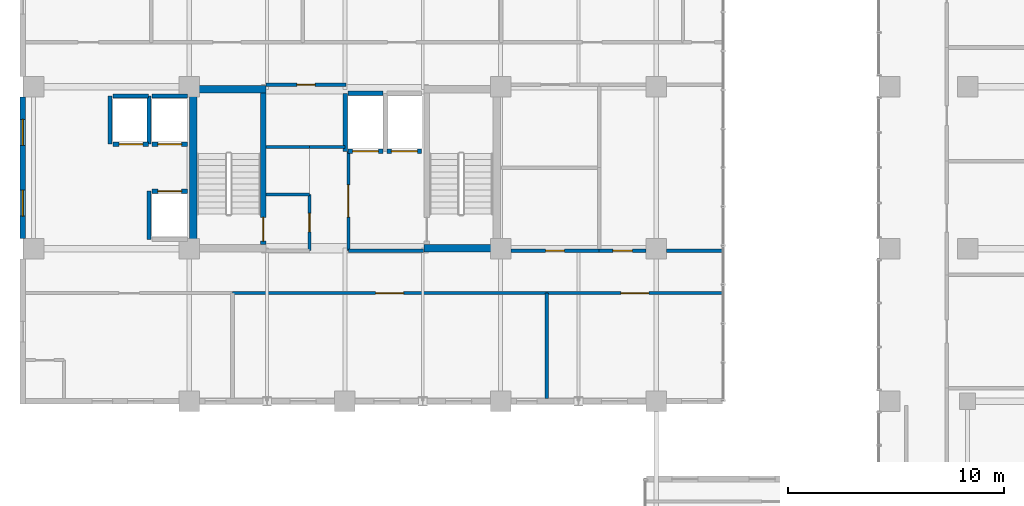
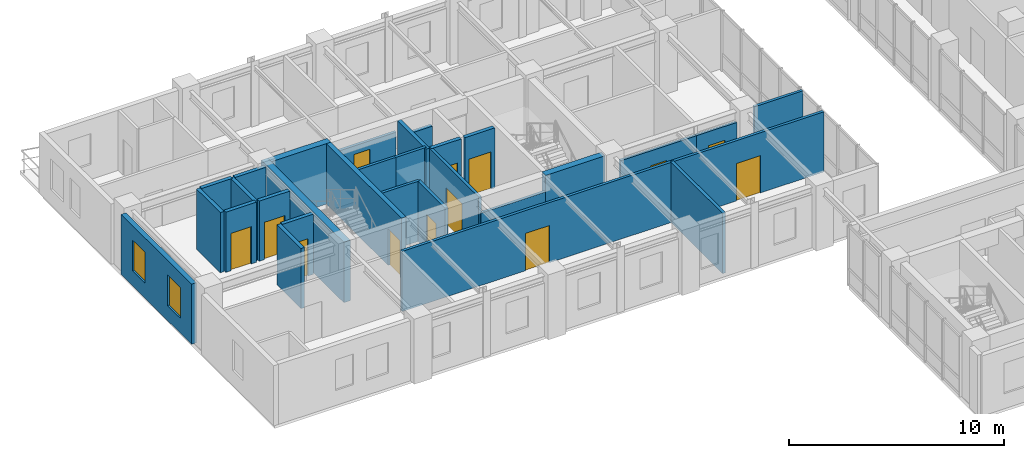
# One storey, part 17 of 24: 30 walls, 13 doors, 2 windows, 15 openings.
"""IFC4 building model written with IfcOpenShell, lengths in metres."""

from ifc_helpers import new_model, si_unit, direction, frame, frame_2d, origin, place, context, subcontext, project, spatial, rectangle, extrude, material, layer, layer_set, type_object, element, fill, save


model = new_model("IFC4")

# Units and contexts
model_context = context("Model", 3, precision=1e-05, world=origin(), true_north=direction((0.0, 1.0)))
body_context = subcontext(model_context, "Body", "Model", "MODEL_VIEW")
ifc_project = project(units=[si_unit("LENGTHUNIT", "METRE"), si_unit("AREAUNIT", "SQUARE_METRE"), si_unit("VOLUMEUNIT", "CUBIC_METRE"), si_unit("PLANEANGLEUNIT", "RADIAN"), si_unit("MASSUNIT", "GRAM", prefix="KILO")], contexts=[model_context])

# Site, building, storey
site_placement = place(None, origin())
site = spatial("IfcSite", under=ifc_project, at=site_placement, CompositionType="ELEMENT")
building_placement = place(site_placement, origin())
building = spatial("IfcBuilding", under=site, at=building_placement, Name="Kaliganga Portal Commons", CompositionType="ELEMENT")
storey_placement = place(building_placement, frame((0.0, 0.0, 238.800048828125)))
storey = spatial("IfcBuildingStorey", under=building, at=storey_placement, Name="L61", CompositionType="ELEMENT", Elevation=238.800048828125)

# Walls
ifc_material_1 = material(Name="Concrete C50/60", Category="concrete")
ifc_layer_1 = layer(ifc_material_1, 0.35009765625)
ifc_layer_set_1 = layer_set([ifc_layer_1], Name="Concrete C50/60")
wall_type_1 = type_object("IfcWallType", Name="WL-CORE-350", PredefinedType="SHEAR", material=ifc_layer_set_1)
wall_1_placement = place(storey_placement, frame((14.574951171875, 28.5, 0.0), z_axis=(0.0, 0.0, 1.0), x_axis=(0.0, 1.0, 0.0)))
element("IfcWall", 1, at=wall_1_placement, inside=storey, type_object=wall_type_1, Name="Core A West Shear Wall L61", PredefinedType="SHEAR", context=body_context, shape_type="SweptSolid", body=[
    extrude(rectangle(XDim=7.699951171875, YDim=0.35009765625, at=frame_2d((3.85009765625, 0.0))), origin(), (0.0, 0.0, 1.0), 3.43994140625),
])
for number, where, z_axis, x_axis, name in (
    (2, (25.25, 28.675048828125, 0.0), (0.0, 0.0, 1.0), (1.0, 0.0, 0.0), "Core A S-East Shear Wall L61"),
    (3, (14.75, 36.02490234375, 0.0), (0.0, 0.0, 1.0), (1.0, 0.0, 0.0), "Core A N-West Shear Wall L61"),
):
    element("IfcWall", number, at=place(storey_placement, frame(where, z_axis=z_axis, x_axis=x_axis)), inside=storey, type_object=wall_type_1, Name=name, PredefinedType="SHEAR", context=body_context, shape_type="SweptSolid", body=[
        extrude(rectangle(XDim=3.199951171875, YDim=0.35009765625, at=frame_2d((1.60009765625, 0.0))), origin(), (0.0, 0.0, 1.0), 3.43994140625),
    ])

# Wall, openings, windows
ifc_material_2 = material(Name="Insulated Aluminium-Clad Spandrel Assembly", Category="aluminium")
ifc_layer_2 = layer(ifc_material_2, 0.260009765625)
ifc_layer_set_2 = layer_set([ifc_layer_2], Name="Insulated Aluminium-Clad Spandrel Assembly")
wall_type_2 = type_object("IfcWallType", Name="WL-EXT-SPAND-260", PredefinedType="STANDARD", material=ifc_layer_set_2)
wall_2_placement = place(storey_placement, frame((6.699951171875, 29.1259765625, 0.0), z_axis=(0.0, 0.0, 1.0), x_axis=(0.0, 1.0, 0.0)))
wall_2 = element("IfcWall", 4, at=wall_2_placement, inside=storey, type_object=wall_type_2, Name="Exterior Envelope Wall L61 P1-E03-S2", PredefinedType="STANDARD", context=body_context, shape_type="SweptSolid", body=[
    extrude(rectangle(XDim=6.548095703125, YDim=0.260009765625, at=frame_2d((3.27392578125, 0.0))), origin(), (0.0, 0.0, 1.0), 3.419921875),
])
opening_1_placement = place(wall_2_placement, frame((1.037109375, 0.0, 0.85009765625)))
opening_1 = element("IfcOpeningElement", 5, at=opening_1_placement, cuts=wall_2, Name="Opening W-03", PredefinedType="OPENING", context=body_context, shape_type="SweptSolid", body=[
    extrude(rectangle(XDim=1.199951171875, YDim=1.75, at=frame_2d((0.60009765625, 0.875))), frame((0.0, 0.14013671875, 0.0), z_axis=(0.0, -1.0, 0.0), x_axis=(1.0, 0.0, 0.0)), (0.0, 0.0, 1.0), 0.280029296875),
])
opening_2_placement = place(wall_2_placement, frame((4.31103515625, 0.0, 0.85009765625)))
opening_2 = element("IfcOpeningElement", 6, at=opening_2_placement, cuts=wall_2, Name="Opening W-03", PredefinedType="OPENING", context=body_context, shape_type="SweptSolid", body=[
    extrude(rectangle(XDim=1.199951171875, YDim=1.75, at=frame_2d((0.60009765625, 0.875))), frame((0.0, 0.14013671875, 0.0), z_axis=(0.0, -1.0, 0.0), x_axis=(1.0, 0.0, 0.0)), (0.0, 0.0, 1.0), 0.280029296875),
])
ifc_material_3 = material(Name="Thermally Broken Aluminium and Low-E Double Glazing", Category="aluminium")
window_type = type_object("IfcWindowType", Name="WIN-STD-1200", PartitioningType="SINGLE_PANEL", PredefinedType="WINDOW", material=ifc_material_3)
window_1_placement = place(opening_1_placement, origin())
window_1 = element("IfcWindow", 7, at=window_1_placement, inside=storey, type_object=window_type, Name="Facade Window L61-P1E03S2-00", OverallHeight=1.75, OverallWidth=1.199951171875, PartitioningType="SINGLE_PANEL", PredefinedType="WINDOW", context=body_context, shape_type="SweptSolid", body=[
    extrude(rectangle(XDim=1.199951171875, YDim=1.75, at=frame_2d((0.60009765625, 0.875))), frame((0.0, 0.030029296875, 0.0), z_axis=(0.0, -1.0, 0.0), x_axis=(1.0, 0.0, 0.0)), (0.0, 0.0, 1.0), 0.06005859375),
])
fill(opening_1, window_1)
window_2_placement = place(opening_2_placement, origin())
window_2 = element("IfcWindow", 8, at=window_2_placement, inside=storey, type_object=window_type, Name="Facade Window L61-P1E03S2-01", OverallHeight=1.75, OverallWidth=1.199951171875, PartitioningType="SINGLE_PANEL", PredefinedType="WINDOW", context=body_context, shape_type="SweptSolid", body=[
    extrude(rectangle(XDim=1.199951171875, YDim=1.75, at=frame_2d((0.60009765625, 0.875))), frame((0.0, 0.030029296875, 0.0), z_axis=(0.0, -1.0, 0.0), x_axis=(1.0, 0.0, 0.0)), (0.0, 0.0, 1.0), 0.06005859375),
])
fill(opening_2, window_2)

# Wall, opening, door
ifc_material_4 = material(Name="Fire-Rated Gypsum Board on Steel Stud", Category="steel")
ifc_layer_3 = layer(ifc_material_4, 0.14990234375)
ifc_layer_set_3 = layer_set([ifc_layer_3], Name="Fire-Rated Gypsum Board on Steel Stud")
wall_type_3 = type_object("IfcWallType", Name="WL-PART-CORR-150", PredefinedType="PARTITIONING", material=ifc_layer_set_3)
wall_3_placement = place(storey_placement, frame((16.39990234375, 26.60009765625, 0.0), z_axis=(0.0, 0.0, 1.0), x_axis=(1.0, 0.0, 0.0)))
wall_3 = element("IfcWall", 9, at=wall_3_placement, inside=storey, type_object=wall_type_3, Name="Interior Partition L61-006", PredefinedType="PARTITIONING", context=body_context, shape_type="SweptSolid", body=[
    extrude(rectangle(XDim=14.5400390625, YDim=0.14990234375, at=frame_2d((7.27001953125, 0.0))), origin(), (0.0, 0.0, 1.0), 3.419921875),
])
opening_3_placement = place(wall_3_placement, frame((6.6201171875, 0.0, 0.0)))
opening_3 = element("IfcOpeningElement", 10, at=opening_3_placement, cuts=wall_3, Name="Opening RD-03", PredefinedType="OPENING", context=body_context, shape_type="SweptSolid", body=[
    extrude(rectangle(XDim=1.300048828125, YDim=2.1201171875, at=frame_2d((0.64990234375, 1.06005859375))), frame((0.0, 0.0849609375, 0.0), z_axis=(0.0, -1.0, 0.0), x_axis=(1.0, 0.0, 0.0)), (0.0, 0.0, 1.0), 0.169921875),
])
ifc_material_5 = material(Name="Glazed Timber Seminar Vision Door", Category="wood")
door_type_1 = type_object("IfcDoorType", Name="DR-STUDY-1300", OperationType="DOUBLE_DOOR_SINGLE_SWING", PredefinedType="DOOR", material=ifc_material_5)
door_1_placement = place(opening_3_placement, origin())
door_1 = element("IfcDoor", 11, at=door_1_placement, inside=storey, type_object=door_type_1, Name="Interior Door L61-AS02", OperationType="DOUBLE_DOOR_SINGLE_SWING", OverallHeight=2.1201171875, OverallWidth=1.300048828125, PredefinedType="DOOR", context=body_context, shape_type="SweptSolid", body=[
    extrude(rectangle(XDim=1.300048828125, YDim=2.1201171875, at=frame_2d((0.64990234375, 1.06005859375))), frame((0.0, 0.02490234375, 0.0), z_axis=(0.0, -1.0, 0.0), x_axis=(1.0, 0.0, 0.0)), (0.0, 0.0, 1.0), 0.050048828125),
])
fill(opening_3, door_1)

wall_4_placement = place(storey_placement, frame((30.93994140625, 26.60009765625, 0.0), z_axis=(0.0, 0.0, 1.0), x_axis=(1.0, 0.0, 0.0)))
wall_4 = element("IfcWall", 12, at=wall_4_placement, inside=storey, type_object=wall_type_3, Name="Interior Partition L61-012", PredefinedType="PARTITIONING", context=body_context, shape_type="SweptSolid", body=[
    extrude(rectangle(XDim=8.14013671875, YDim=0.14990234375, at=frame_2d((4.070068359375, 0.0))), origin(), (0.0, 0.0, 1.0), 3.419921875),
])
opening_4_placement = place(wall_4_placement, frame((3.419921875, 0.0, 0.0)))
opening_4 = element("IfcOpeningElement", 13, at=opening_4_placement, cuts=wall_4, Name="Opening RD-03", PredefinedType="OPENING", context=body_context, shape_type="SweptSolid", body=[
    extrude(rectangle(XDim=1.300048828125, YDim=2.1201171875, at=frame_2d((0.64990234375, 1.06005859375))), frame((0.0, 0.0849609375, 0.0), z_axis=(0.0, -1.0, 0.0), x_axis=(1.0, 0.0, 0.0)), (0.0, 0.0, 1.0), 0.169921875),
])
door_2_placement = place(opening_4_placement, origin())
door_2 = element("IfcDoor", 14, at=door_2_placement, inside=storey, type_object=door_type_1, Name="Interior Door L61-AS03", OperationType="DOUBLE_DOOR_SINGLE_SWING", OverallHeight=2.1201171875, OverallWidth=1.300048828125, PredefinedType="DOOR", context=body_context, shape_type="SweptSolid", body=[
    extrude(rectangle(XDim=1.300048828125, YDim=2.1201171875, at=frame_2d((0.64990234375, 1.06005859375))), frame((0.0, 0.02490234375, 0.0), z_axis=(0.0, -1.0, 0.0), x_axis=(1.0, 0.0, 0.0)), (0.0, 0.0, 1.0), 0.050048828125),
])
fill(opening_4, door_2)

wall_5_placement = place(storey_placement, frame((33.360107421875, 28.56005859375, 0.0), z_axis=(0.0, 0.0, 1.0), x_axis=(1.0, 0.0, 0.0)))
wall_5 = element("IfcWall", 15, at=wall_5_placement, inside=storey, type_object=wall_type_3, Name="Interior Partition L61-015", PredefinedType="PARTITIONING", context=body_context, shape_type="SweptSolid", body=[
    extrude(rectangle(XDim=2.164794921875, YDim=0.14990234375, at=frame_2d((1.08251953125, 0.0))), origin(), (0.0, 0.0, 1.0), 2.869873046875),
])
opening_5_placement = place(wall_5_placement, frame((0.632568359375, 0.0, 0.0)))
opening_5 = element("IfcOpeningElement", 16, at=opening_5_placement, cuts=wall_5, Name="Opening RD-01", PredefinedType="OPENING", context=body_context, shape_type="SweptSolid", body=[
    extrude(rectangle(XDim=0.89990234375, YDim=2.080078125, at=frame_2d((0.449951171875, 1.0400390625))), frame((0.0, 0.0849609375, 0.0), z_axis=(0.0, -1.0, 0.0), x_axis=(1.0, 0.0, 0.0)), (0.0, 0.0, 1.0), 0.169921875),
])
ifc_material_6 = material(Name="Engineered Timber Flush Door", Category="wood")
door_type_2 = type_object("IfcDoorType", Name="DR-ROOM-900", OperationType="NOTDEFINED", PredefinedType="DOOR", material=ifc_material_6)
door_3_placement = place(opening_5_placement, origin())
door_3 = element("IfcDoor", 17, at=door_3_placement, inside=storey, type_object=door_type_2, Name="Interior Door L61-APE01", OperationType="SINGLE_SWING_RIGHT", OverallHeight=2.080078125, OverallWidth=0.89990234375, PredefinedType="DOOR", context=body_context, shape_type="SweptSolid", body=[
    extrude(rectangle(XDim=0.89990234375, YDim=2.080078125, at=frame_2d((0.449951171875, 1.0400390625))), frame((0.0, 0.02490234375, 0.0), z_axis=(0.0, -1.0, 0.0), x_axis=(1.0, 0.0, 0.0)), (0.0, 0.0, 1.0), 0.050048828125),
])
fill(opening_5, door_3)

# Wall
wall_6_placement = place(storey_placement, frame((36.47509765625, 28.56005859375, 0.0), z_axis=(0.0, 0.0, 1.0), x_axis=(1.0, 0.0, 0.0)))
element("IfcWall", 18, at=wall_6_placement, inside=storey, type_object=wall_type_3, Name="Interior Partition L61-016", PredefinedType="PARTITIONING", context=body_context, shape_type="SweptSolid", body=[
    extrude(rectangle(XDim=2.60498046875, YDim=0.14990234375, at=frame_2d((1.302490234375, 0.0))), origin(), (0.0, 0.0, 1.0), 3.419921875),
])

# Wall, opening, door
wall_7_placement = place(storey_placement, frame((29.27490234375, 28.56005859375, 0.0), z_axis=(0.0, 0.0, 1.0), x_axis=(1.0, 0.0, 0.0)))
wall_7 = element("IfcWall", 19, at=wall_7_placement, inside=storey, type_object=wall_type_3, Name="Interior Partition L61-024", PredefinedType="PARTITIONING", context=body_context, shape_type="SweptSolid", body=[
    extrude(rectangle(XDim=4.085205078125, YDim=0.14990234375, at=frame_2d((2.04248046875, 0.0))), origin(), (0.0, 0.0, 1.0), 2.869873046875),
])
opening_6_placement = place(wall_7_placement, frame((1.612548828125, 0.0, 0.0)))
opening_6 = element("IfcOpeningElement", 20, at=opening_6_placement, cuts=wall_7, Name="Opening WD-02", PredefinedType="OPENING", context=body_context, shape_type="SweptSolid", body=[
    extrude(rectangle(XDim=0.860107421875, YDim=2.02001953125, at=frame_2d((0.43017578125, 1.010009765625))), frame((0.0, 0.0849609375, 0.0), z_axis=(0.0, -1.0, 0.0), x_axis=(1.0, 0.0, 0.0)), (0.0, 0.0, 1.0), 0.169921875),
])
ifc_material_7 = material(Name="Fire-Rated Utility Closet Door", Category="wood")
door_type_3 = type_object("IfcDoorType", Name="DR-STORE-800", OperationType="NOTDEFINED", PredefinedType="DOOR", material=ifc_material_7)
door_4_placement = place(opening_6_placement, origin())
door_4 = element("IfcDoor", 21, at=door_4_placement, inside=storey, type_object=door_type_3, Name="Interior Door L61-CSRV_A1", OperationType="SINGLE_SWING_LEFT", OverallHeight=2.02001953125, OverallWidth=0.860107421875, PredefinedType="DOOR", context=body_context, shape_type="SweptSolid", body=[
    extrude(rectangle(XDim=0.860107421875, YDim=2.02001953125, at=frame_2d((0.43017578125, 1.010009765625))), frame((0.0, 0.02490234375, 0.0), z_axis=(0.0, -1.0, 0.0), x_axis=(1.0, 0.0, 0.0)), (0.0, 0.0, 1.0), 0.050048828125),
])
fill(opening_6, door_4)

wall_8_placement = place(storey_placement, frame((17.9599609375, 36.239990234375, 0.0), z_axis=(0.0, 0.0, 1.0), x_axis=(1.0, 0.0, 0.0)))
wall_8 = element("IfcWall", 22, at=wall_8_placement, inside=storey, type_object=wall_type_3, Name="Interior Partition L61-028", PredefinedType="PARTITIONING", context=body_context, shape_type="SweptSolid", body=[
    extrude(rectangle(XDim=3.679931640625, YDim=0.14990234375, at=frame_2d((1.83984375, 0.0))), origin(), (0.0, 0.0, 1.0), 2.52001953125),
])
opening_7_placement = place(wall_8_placement, frame((1.4150390625, 0.0, 0.0)))
opening_7 = element("IfcOpeningElement", 23, at=opening_7_placement, cuts=wall_8, Name="Opening WD-01", PredefinedType="OPENING", context=body_context, shape_type="SweptSolid", body=[
    extrude(rectangle(XDim=0.85009765625, YDim=2.0400390625, at=frame_2d((0.425048828125, 1.02001953125))), frame((0.0, 0.0849609375, 0.0), z_axis=(0.0, -1.0, 0.0), x_axis=(1.0, 0.0, 0.0)), (0.0, 0.0, 1.0), 0.169921875),
])
ifc_material_8 = material(Name="Moisture-Resistant Laminate Timber Door", Category="wood")
door_type_4 = type_object("IfcDoorType", Name="DR-WET-850", OperationType="NOTDEFINED", PredefinedType="DOOR", material=ifc_material_8)
door_5_placement = place(opening_7_placement, origin())
door_5 = element("IfcDoor", 24, at=door_5_placement, inside=storey, type_object=door_type_4, Name="Interior Door L61-CREC_A1", OperationType="SINGLE_SWING_RIGHT", OverallHeight=2.0400390625, OverallWidth=0.85009765625, PredefinedType="DOOR", context=body_context, shape_type="SweptSolid", body=[
    extrude(rectangle(XDim=0.85009765625, YDim=2.0400390625, at=frame_2d((0.425048828125, 1.02001953125))), frame((0.0, 0.02490234375, 0.0), z_axis=(0.0, -1.0, 0.0), x_axis=(1.0, 0.0, 0.0)), (0.0, 0.0, 1.0), 0.050048828125),
])
fill(opening_7, door_5)

wall_9_placement = place(storey_placement, frame((19.9599609375, 28.56005859375, 0.0), z_axis=(0.0, 0.0, 1.0), x_axis=(0.0, 1.0, 0.0)))
wall_9 = element("IfcWall", 25, at=wall_9_placement, inside=storey, type_object=wall_type_3, Name="Interior Partition L61-033", PredefinedType="PARTITIONING", context=body_context, shape_type="SweptSolid", body=[
    extrude(rectangle(XDim=2.599853515625, YDim=0.14990234375, at=frame_2d((1.2998046875, 0.0))), origin(), (0.0, 0.0, 1.0), 3.419921875),
])
opening_8_placement = place(wall_9_placement, frame((0.8701171875, 0.0, 0.0)))
opening_8 = element("IfcOpeningElement", 26, at=opening_8_placement, cuts=wall_9, Name="Opening WD-02", PredefinedType="OPENING", context=body_context, shape_type="SweptSolid", body=[
    extrude(rectangle(XDim=0.860107421875, YDim=2.02001953125, at=frame_2d((0.43017578125, 1.010009765625))), frame((0.0, 0.0849609375, 0.0), z_axis=(0.0, -1.0, 0.0), x_axis=(1.0, 0.0, 0.0)), (0.0, 0.0, 1.0), 0.169921875),
])
door_6_placement = place(opening_8_placement, origin())
door_6 = element("IfcDoor", 27, at=door_6_placement, inside=storey, type_object=door_type_3, Name="Interior Door L61-CIN_A1", OperationType="SINGLE_SWING_RIGHT", OverallHeight=2.02001953125, OverallWidth=0.860107421875, PredefinedType="DOOR", context=body_context, shape_type="SweptSolid", body=[
    extrude(rectangle(XDim=0.860107421875, YDim=2.02001953125, at=frame_2d((0.43017578125, 1.010009765625))), frame((0.0, 0.02490234375, 0.0), z_axis=(0.0, -1.0, 0.0), x_axis=(1.0, 0.0, 0.0)), (0.0, 0.0, 1.0), 0.050048828125),
])
fill(opening_8, door_6)

# Walls
for number, where, z_axis, x_axis, name in (
    (28, (17.9599609375, 31.159912109375, 0.0), (0.0, 0.0, 1.0), (1.0, 0.0, 0.0), "Interior Partition L61-036"),
    (29, (17.9599609375, 33.360107421875, 0.0), (0.0, 0.0, 1.0), (1.0, 0.0, 0.0), "Interior Partition L61-037"),
):
    element("IfcWall", number, at=place(storey_placement, frame(where, z_axis=z_axis, x_axis=x_axis)), inside=storey, type_object=wall_type_3, Name=name, PredefinedType="PARTITIONING", context=body_context, shape_type="SweptSolid", body=[
        extrude(rectangle(XDim=2.0, YDim=0.14990234375, at=frame_2d((1.0, 0.0))), origin(), (0.0, 0.0, 1.0), 3.419921875),
    ])
wall_10_placement = place(storey_placement, frame((19.9599609375, 33.360107421875, 0.0), z_axis=(0.0, 0.0, 1.0), x_axis=(1.0, 0.0, 0.0)))
element("IfcWall", 30, at=wall_10_placement, inside=storey, type_object=wall_type_3, Name="Interior Partition L61-039", PredefinedType="PARTITIONING", context=body_context, shape_type="SweptSolid", body=[
    extrude(rectangle(XDim=1.650146484375, YDim=0.14990234375, at=frame_2d((0.8251953125, 0.0))), origin(), (0.0, 0.0, 1.0), 3.419921875),
])

# Wall, opening, door
wall_11_placement = place(storey_placement, frame((21.760009765625, 28.56005859375, 0.0), z_axis=(0.0, 0.0, 1.0), x_axis=(0.0, 1.0, 0.0)))
wall_11 = element("IfcWall", 31, at=wall_11_placement, inside=storey, type_object=wall_type_3, Name="Interior Partition L61-049", PredefinedType="PARTITIONING", context=body_context, shape_type="SweptSolid", body=[
    extrude(rectangle(XDim=4.599853515625, YDim=0.14990234375, at=frame_2d((2.2998046875, 0.0))), origin(), (0.0, 0.0, 1.0), 3.419921875),
])
opening_9_placement = place(wall_11_placement, frame((1.550048828125, 0.0, 0.0)))
opening_9 = element("IfcOpeningElement", 32, at=opening_9_placement, cuts=wall_11, Name="Opening FD-01", PredefinedType="OPENING", context=body_context, shape_type="SweptSolid", body=[
    extrude(rectangle(XDim=1.5, YDim=2.10009765625, at=frame_2d((0.75, 1.050048828125))), frame((0.0, 0.0849609375, 0.0), z_axis=(0.0, -1.0, 0.0), x_axis=(1.0, 0.0, 0.0)), (0.0, 0.0, 1.0), 0.169921875),
])
ifc_material_9 = material(Name="Fire-Rated Hardwood and Georgian-Wired Vision Panel", Category="wood")
door_type_5 = type_object("IfcDoorType", Name="DR-LOBBY-1500", OperationType="DOUBLE_DOOR_SINGLE_SWING", PredefinedType="DOOR", material=ifc_material_9)
door_7_placement = place(opening_9_placement, origin())
door_7 = element("IfcDoor", 33, at=door_7_placement, inside=storey, type_object=door_type_5, Name="Interior Door L61-FFLOB_A", OperationType="DOUBLE_DOOR_SINGLE_SWING", OverallHeight=2.10009765625, OverallWidth=1.5, PredefinedType="DOOR", context=body_context, shape_type="SweptSolid", body=[
    extrude(rectangle(XDim=1.5, YDim=2.10009765625, at=frame_2d((0.75, 1.050048828125))), frame((0.0, 0.02490234375, 0.0), z_axis=(0.0, -1.0, 0.0), x_axis=(1.0, 0.0, 0.0)), (0.0, 0.0, 1.0), 0.050048828125),
])
fill(opening_9, door_7)

# Walls
wall_12_placement = place(storey_placement, frame((21.760009765625, 28.56005859375, 0.0), z_axis=(0.0, 0.0, 1.0), x_axis=(1.0, 0.0, 0.0)))
element("IfcWall", 34, at=wall_12_placement, inside=storey, type_object=wall_type_3, Name="Interior Partition L61-054", PredefinedType="PARTITIONING", context=body_context, shape_type="SweptSolid", body=[
    extrude(rectangle(XDim=3.47998046875, YDim=0.14990234375, at=frame_2d((1.739990234375, 0.0))), origin(), (0.0, 0.0, 1.0), 2.52001953125),
])
ifc_material_10 = material(Name="Twin-Stud Acoustic Gypsum Partition", Category="gypsum")
ifc_layer_4 = layer(ifc_material_10, 0.1650390625)
ifc_layer_set_4 = layer_set([ifc_layer_4], Name="Twin-Stud Acoustic Gypsum Partition")
wall_type_4 = type_object("IfcWallType", Name="WL-PART-UNIT-165", PredefinedType="PARTITIONING", material=ifc_layer_set_4)
wall_13_placement = place(storey_placement, frame((30.93994140625, 21.73193359375, 0.0), z_axis=(0.0, 0.0, 1.0), x_axis=(0.0, 1.0, 0.0)))
element("IfcWall", 35, at=wall_13_placement, inside=storey, type_object=wall_type_4, Name="Interior Partition L61-047", PredefinedType="PARTITIONING", context=body_context, shape_type="SweptSolid", body=[
    extrude(rectangle(XDim=4.8681640625, YDim=0.1650390625, at=frame_2d((2.43408203125, 0.0))), origin(), (0.0, 0.0, 1.0), 3.419921875),
])

# Wall, opening, door
ifc_material_11 = material(Name="Fire-Rated Shaftwall Masonry Assembly", Category="masonry")
ifc_layer_5 = layer(ifc_material_11, 0.199951171875)
ifc_layer_set_5 = layer_set([ifc_layer_5], Name="Fire-Rated Shaftwall Masonry Assembly")
wall_type_5 = type_object("IfcWallType", Name="WL-SHAFT-200", PredefinedType="PARTITIONING", material=ifc_layer_set_5)
wall_14_placement = place(storey_placement, frame((12.675048828125, 33.485107421875, 0.0), z_axis=(0.0, 0.0, 1.0), x_axis=(1.0, 0.0, 0.0)))
wall_14 = element("IfcWall", 36, at=wall_14_placement, inside=storey, type_object=wall_type_5, Name="Lift PL-A3 Hoistway Shaft Wall L61-S", PredefinedType="PARTITIONING", context=body_context, shape_type="SweptSolid", body=[
    extrude(rectangle(XDim=1.64990234375, YDim=0.199951171875, at=frame_2d((0.824951171875, 0.0))), origin(), (0.0, 0.0, 1.0), 3.419921875),
])
opening_10_placement = place(wall_14_placement, frame((0.27490234375, 0.0, 0.0)))
opening_10 = element("IfcOpeningElement", 37, at=opening_10_placement, cuts=wall_14, Name="Opening LD-01", PredefinedType="OPENING", context=body_context, shape_type="SweptSolid", body=[
    extrude(rectangle(XDim=1.10009765625, YDim=2.1201171875, at=frame_2d((0.550048828125, 1.06005859375))), frame((0.0, 0.10986328125, 0.0), z_axis=(0.0, -1.0, 0.0), x_axis=(1.0, 0.0, 0.0)), (0.0, 0.0, 1.0), 0.219970703125),
])
ifc_material_12 = material(Name="Brushed Stainless Steel 316 Lift Landing Door", Category="steel")
door_type_6 = type_object("IfcDoorType", Name="DR-LIFT-1100", OperationType="SLIDING_TO_LEFT", PredefinedType="DOOR", material=ifc_material_12)
door_8_placement = place(opening_10_placement, origin())
door_8 = element("IfcDoor", 38, at=door_8_placement, inside=storey, type_object=door_type_6, Name="Lift PL-A3 Sliding Landing Door L61", OperationType="SLIDING_TO_LEFT", OverallHeight=2.1201171875, OverallWidth=1.10009765625, PredefinedType="DOOR", context=body_context, shape_type="SweptSolid", body=[
    extrude(rectangle(XDim=1.10009765625, YDim=2.1201171875, at=frame_2d((0.550048828125, 1.06005859375))), frame((0.0, 0.02490234375, 0.0), z_axis=(0.0, -1.0, 0.0), x_axis=(1.0, 0.0, 0.0)), (0.0, 0.0, 1.0), 0.050048828125),
])
fill(opening_10, door_8)

# Walls
wall_15_placement = place(storey_placement, frame((12.675048828125, 35.715087890625, 0.0), z_axis=(0.0, 0.0, 1.0), x_axis=(1.0, 0.0, 0.0)))
element("IfcWall", 39, at=wall_15_placement, inside=storey, type_object=wall_type_5, Name="Lift PL-A3 Hoistway Shaft Wall L61-N", PredefinedType="PARTITIONING", context=body_context, shape_type="SweptSolid", body=[
    extrude(rectangle(XDim=1.64990234375, YDim=0.199951171875, at=frame_2d((0.824951171875, 0.0))), origin(), (0.0, 0.0, 1.0), 3.419921875),
])
wall_16_placement = place(storey_placement, frame((12.534912109375, 33.485107421875, 0.0), z_axis=(0.0, 0.0, 1.0), x_axis=(0.0, 1.0, 0.0)))
element("IfcWall", 40, at=wall_16_placement, inside=storey, type_object=wall_type_5, Name="Lift PL-A3 Hoistway Shaft Wall L61-W", PredefinedType="PARTITIONING", context=body_context, shape_type="SweptSolid", body=[
    extrude(rectangle(XDim=2.22998046875, YDim=0.199951171875, at=frame_2d((1.114990234375, 0.0))), origin(), (0.0, 0.0, 1.0), 3.419921875),
])

# Wall, opening, door
wall_17_placement = place(storey_placement, frame((12.675048828125, 31.31494140625, 0.0), z_axis=(0.0, 0.0, 1.0), x_axis=(1.0, 0.0, 0.0)))
wall_17 = element("IfcWall", 41, at=wall_17_placement, inside=storey, type_object=wall_type_5, Name="Lift PL-A4 Hoistway Shaft Wall L61-N", PredefinedType="PARTITIONING", context=body_context, shape_type="SweptSolid", body=[
    extrude(rectangle(XDim=1.64990234375, YDim=0.199951171875, at=frame_2d((0.824951171875, 0.0))), origin(), (0.0, 0.0, 1.0), 3.419921875),
])
opening_11_placement = place(wall_17_placement, frame((0.27490234375, 0.0, 0.0)))
opening_11 = element("IfcOpeningElement", 42, at=opening_11_placement, cuts=wall_17, Name="Opening LD-01", PredefinedType="OPENING", context=body_context, shape_type="SweptSolid", body=[
    extrude(rectangle(XDim=1.10009765625, YDim=2.1201171875, at=frame_2d((0.550048828125, 1.06005859375))), frame((0.0, 0.10986328125, 0.0), z_axis=(0.0, -1.0, 0.0), x_axis=(1.0, 0.0, 0.0)), (0.0, 0.0, 1.0), 0.219970703125),
])
door_9_placement = place(opening_11_placement, origin())
door_9 = element("IfcDoor", 43, at=door_9_placement, inside=storey, type_object=door_type_6, Name="Lift PL-A4 Sliding Landing Door L61", OperationType="SLIDING_TO_LEFT", OverallHeight=2.1201171875, OverallWidth=1.10009765625, PredefinedType="DOOR", context=body_context, shape_type="SweptSolid", body=[
    extrude(rectangle(XDim=1.10009765625, YDim=2.1201171875, at=frame_2d((0.550048828125, 1.06005859375))), frame((0.0, 0.02490234375, 0.0), z_axis=(0.0, -1.0, 0.0), x_axis=(1.0, 0.0, 0.0)), (0.0, 0.0, 1.0), 0.050048828125),
])
fill(opening_11, door_9)

# Wall
wall_18_placement = place(storey_placement, frame((12.534912109375, 29.0849609375, 0.0), z_axis=(0.0, 0.0, 1.0), x_axis=(0.0, 1.0, 0.0)))
element("IfcWall", 44, at=wall_18_placement, inside=storey, type_object=wall_type_5, Name="Lift PL-A4 Hoistway Shaft Wall L61-W", PredefinedType="PARTITIONING", context=body_context, shape_type="SweptSolid", body=[
    extrude(rectangle(XDim=2.22998046875, YDim=0.199951171875, at=frame_2d((1.114990234375, 0.0))), origin(), (0.0, 0.0, 1.0), 3.419921875),
])

# Wall, opening, door
wall_19_placement = place(storey_placement, frame((10.875, 33.485107421875, 0.0), z_axis=(0.0, 0.0, 1.0), x_axis=(1.0, 0.0, 0.0)))
wall_19 = element("IfcWall", 45, at=wall_19_placement, inside=storey, type_object=wall_type_5, Name="Lift PL-OBS Hoistway Shaft Wall L61-S", PredefinedType="PARTITIONING", context=body_context, shape_type="SweptSolid", body=[
    extrude(rectangle(XDim=1.64990234375, YDim=0.199951171875, at=frame_2d((0.824951171875, 0.0))), origin(), (0.0, 0.0, 1.0), 3.419921875),
])
opening_12_placement = place(wall_19_placement, frame((0.27490234375, 0.0, 0.0)))
opening_12 = element("IfcOpeningElement", 46, at=opening_12_placement, cuts=wall_19, Name="Opening LD-01", PredefinedType="OPENING", context=body_context, shape_type="SweptSolid", body=[
    extrude(rectangle(XDim=1.10009765625, YDim=2.1201171875, at=frame_2d((0.550048828125, 1.06005859375))), frame((0.0, 0.10986328125, 0.0), z_axis=(0.0, -1.0, 0.0), x_axis=(1.0, 0.0, 0.0)), (0.0, 0.0, 1.0), 0.219970703125),
])
door_10_placement = place(opening_12_placement, origin())
door_10 = element("IfcDoor", 47, at=door_10_placement, inside=storey, type_object=door_type_6, Name="Lift PL-OBS Sliding Landing Door L61", OperationType="SLIDING_TO_LEFT", OverallHeight=2.1201171875, OverallWidth=1.10009765625, PredefinedType="DOOR", context=body_context, shape_type="SweptSolid", body=[
    extrude(rectangle(XDim=1.10009765625, YDim=2.1201171875, at=frame_2d((0.550048828125, 1.06005859375))), frame((0.0, 0.02490234375, 0.0), z_axis=(0.0, -1.0, 0.0), x_axis=(1.0, 0.0, 0.0)), (0.0, 0.0, 1.0), 0.050048828125),
])
fill(opening_12, door_10)

# Walls
wall_20_placement = place(storey_placement, frame((10.875, 35.715087890625, 0.0), z_axis=(0.0, 0.0, 1.0), x_axis=(1.0, 0.0, 0.0)))
element("IfcWall", 48, at=wall_20_placement, inside=storey, type_object=wall_type_5, Name="Lift PL-OBS Hoistway Shaft Wall L61-N", PredefinedType="PARTITIONING", context=body_context, shape_type="SweptSolid", body=[
    extrude(rectangle(XDim=1.64990234375, YDim=0.199951171875, at=frame_2d((0.824951171875, 0.0))), origin(), (0.0, 0.0, 1.0), 3.419921875),
])
wall_21_placement = place(storey_placement, frame((10.735107421875, 33.485107421875, 0.0), z_axis=(0.0, 0.0, 1.0), x_axis=(0.0, 1.0, 0.0)))
element("IfcWall", 49, at=wall_21_placement, inside=storey, type_object=wall_type_5, Name="Lift PL-OBS Hoistway Shaft Wall L61-W", PredefinedType="PARTITIONING", context=body_context, shape_type="SweptSolid", body=[
    extrude(rectangle(XDim=2.22998046875, YDim=0.199951171875, at=frame_2d((1.114990234375, 0.0))), origin(), (0.0, 0.0, 1.0), 3.419921875),
])

# Wall, opening, door
wall_22_placement = place(storey_placement, frame((21.75, 33.159912109375, 0.0), z_axis=(0.0, 0.0, 1.0), x_axis=(1.0, 0.0, 0.0)))
wall_22 = element("IfcWall", 50, at=wall_22_placement, inside=storey, type_object=wall_type_5, Name="Lift FFL-1 Hoistway Shaft Wall L61-S", PredefinedType="PARTITIONING", context=body_context, shape_type="SweptSolid", body=[
    extrude(rectangle(XDim=1.60009765625, YDim=0.199951171875, at=frame_2d((0.800048828125, 0.0))), origin(), (0.0, 0.0, 1.0), 3.419921875),
])
opening_13_placement = place(wall_22_placement, frame((0.199951171875, 0.0, 0.0)))
opening_13 = element("IfcOpeningElement", 51, at=opening_13_placement, cuts=wall_22, Name="Opening LD-02", PredefinedType="OPENING", context=body_context, shape_type="SweptSolid", body=[
    extrude(rectangle(XDim=1.199951171875, YDim=2.1201171875, at=frame_2d((0.60009765625, 1.06005859375))), frame((0.0, 0.10986328125, 0.0), z_axis=(0.0, -1.0, 0.0), x_axis=(1.0, 0.0, 0.0)), (0.0, 0.0, 1.0), 0.219970703125),
])
ifc_material_13 = material(Name="Brushed Stainless Steel 316 Stretcher Lift Landing Door", Category="steel")
door_type_7 = type_object("IfcDoorType", Name="DR-LIFT-1200", OperationType="SLIDING_TO_RIGHT", PredefinedType="DOOR", material=ifc_material_13)
door_11_placement = place(opening_13_placement, origin())
door_11 = element("IfcDoor", 52, at=door_11_placement, inside=storey, type_object=door_type_7, Name="Lift FFL-1 Sliding Landing Door L61", OperationType="SLIDING_TO_RIGHT", OverallHeight=2.1201171875, OverallWidth=1.199951171875, PredefinedType="DOOR", context=body_context, shape_type="SweptSolid", body=[
    extrude(rectangle(XDim=1.199951171875, YDim=2.1201171875, at=frame_2d((0.60009765625, 1.06005859375))), frame((0.0, 0.02490234375, 0.0), z_axis=(0.0, -1.0, 0.0), x_axis=(1.0, 0.0, 0.0)), (0.0, 0.0, 1.0), 0.050048828125),
])
fill(opening_13, door_11)

# Walls
wall_23_placement = place(storey_placement, frame((21.75, 35.840087890625, 0.0), z_axis=(0.0, 0.0, 1.0), x_axis=(1.0, 0.0, 0.0)))
element("IfcWall", 53, at=wall_23_placement, inside=storey, type_object=wall_type_5, Name="Lift FFL-1 Hoistway Shaft Wall L61-N", PredefinedType="PARTITIONING", context=body_context, shape_type="SweptSolid", body=[
    extrude(rectangle(XDim=1.60009765625, YDim=0.199951171875, at=frame_2d((0.800048828125, 0.0))), origin(), (0.0, 0.0, 1.0), 2.52001953125),
])
wall_24_placement = place(storey_placement, frame((21.610107421875, 33.159912109375, 0.0), z_axis=(0.0, 0.0, 1.0), x_axis=(0.0, 1.0, 0.0)))
element("IfcWall", 54, at=wall_24_placement, inside=storey, type_object=wall_type_5, Name="Lift FFL-1 Hoistway Shaft Wall L61-W", PredefinedType="PARTITIONING", context=body_context, shape_type="SweptSolid", body=[
    extrude(rectangle(XDim=2.68017578125, YDim=0.199951171875, at=frame_2d((1.340087890625, 0.0))), origin(), (0.0, 0.0, 1.0), 3.419921875),
])

# Wall, opening, door
wall_25_placement = place(storey_placement, frame((23.550048828125, 33.159912109375, 0.0), z_axis=(0.0, 0.0, 1.0), x_axis=(1.0, 0.0, 0.0)))
wall_25 = element("IfcWall", 55, at=wall_25_placement, inside=storey, type_object=wall_type_5, Name="Lift FFL-2 Hoistway Shaft Wall L61-S", PredefinedType="PARTITIONING", context=body_context, shape_type="SweptSolid", body=[
    extrude(rectangle(XDim=1.599853515625, YDim=0.199951171875, at=frame_2d((0.7998046875, 0.0))), origin(), (0.0, 0.0, 1.0), 3.419921875),
])
opening_14_placement = place(wall_25_placement, frame((0.199951171875, 0.0, 0.0)))
opening_14 = element("IfcOpeningElement", 56, at=opening_14_placement, cuts=wall_25, Name="Opening LD-02", PredefinedType="OPENING", context=body_context, shape_type="SweptSolid", body=[
    extrude(rectangle(XDim=1.199951171875, YDim=2.1201171875, at=frame_2d((0.60009765625, 1.06005859375))), frame((0.0, 0.10986328125, 0.0), z_axis=(0.0, -1.0, 0.0), x_axis=(1.0, 0.0, 0.0)), (0.0, 0.0, 1.0), 0.219970703125),
])
door_12_placement = place(opening_14_placement, origin())
door_12 = element("IfcDoor", 57, at=door_12_placement, inside=storey, type_object=door_type_7, Name="Lift FFL-2 Sliding Landing Door L61", OperationType="SLIDING_TO_RIGHT", OverallHeight=2.1201171875, OverallWidth=1.199951171875, PredefinedType="DOOR", context=body_context, shape_type="SweptSolid", body=[
    extrude(rectangle(XDim=1.199951171875, YDim=2.1201171875, at=frame_2d((0.60009765625, 1.06005859375))), frame((0.0, 0.02490234375, 0.0), z_axis=(0.0, -1.0, 0.0), x_axis=(1.0, 0.0, 0.0)), (0.0, 0.0, 1.0), 0.050048828125),
])
fill(opening_14, door_12)

ifc_layer_6 = layer(ifc_material_1, 0.25)
ifc_layer_set_6 = layer_set([ifc_layer_6], Name="Concrete C50/60")
wall_type_6 = type_object("IfcWallType", Name="WL-STAIR-250", PredefinedType="SHEAR", material=ifc_layer_set_6)
wall_26_placement = place(storey_placement, frame((17.824951171875, 28.85009765625, 0.0), z_axis=(0.0, 0.0, 1.0), x_axis=(0.0, 1.0, 0.0)))
wall_26 = element("IfcWall", 58, at=wall_26_placement, inside=storey, type_object=wall_type_6, Name="Stair A1 Enclosure Shear Wall L61", PredefinedType="SHEAR", context=body_context, shape_type="SweptSolid", body=[
    extrude(rectangle(XDim=7.0, YDim=0.25, at=frame_2d((3.5, 0.0))), origin(), (0.0, 0.0, 1.0), 3.43994140625),
])
opening_15_placement = place(wall_26_placement, frame((0.14990234375, 0.0, 0.0)))
opening_15 = element("IfcOpeningElement", 59, at=opening_15_placement, cuts=wall_26, Name="Opening SD-01", PredefinedType="OPENING", context=body_context, shape_type="SweptSolid", body=[
    extrude(rectangle(XDim=1.10009765625, YDim=2.080078125, at=frame_2d((0.550048828125, 1.0400390625))), frame((0.0, 0.135009765625, 0.0), z_axis=(0.0, -1.0, 0.0), x_axis=(1.0, 0.0, 0.0)), (0.0, 0.0, 1.0), 0.27001953125),
])
ifc_material_14 = material(Name="Galvanized Steel Fire Door Leaf and Frame", Category="steel")
door_type_8 = type_object("IfcDoorType", Name="DR-STAIR-1100", OperationType="NOTDEFINED", PredefinedType="DOOR", material=ifc_material_14)
door_13_placement = place(opening_15_placement, origin())
door_13 = element("IfcDoor", 60, at=door_13_placement, inside=storey, type_object=door_type_8, Name="Protected Stair ST-A1 Fire Door L61", OperationType="SINGLE_SWING_LEFT", OverallHeight=2.080078125, OverallWidth=1.10009765625, PredefinedType="DOOR", context=body_context, shape_type="SweptSolid", body=[
    extrude(rectangle(XDim=1.10009765625, YDim=2.080078125, at=frame_2d((0.550048828125, 1.0400390625))), frame((0.0, 0.02490234375, 0.0), z_axis=(0.0, -1.0, 0.0), x_axis=(1.0, 0.0, 0.0)), (0.0, 0.0, 1.0), 0.050048828125),
])
fill(opening_15, door_13)

save(model, "model.ifc")
